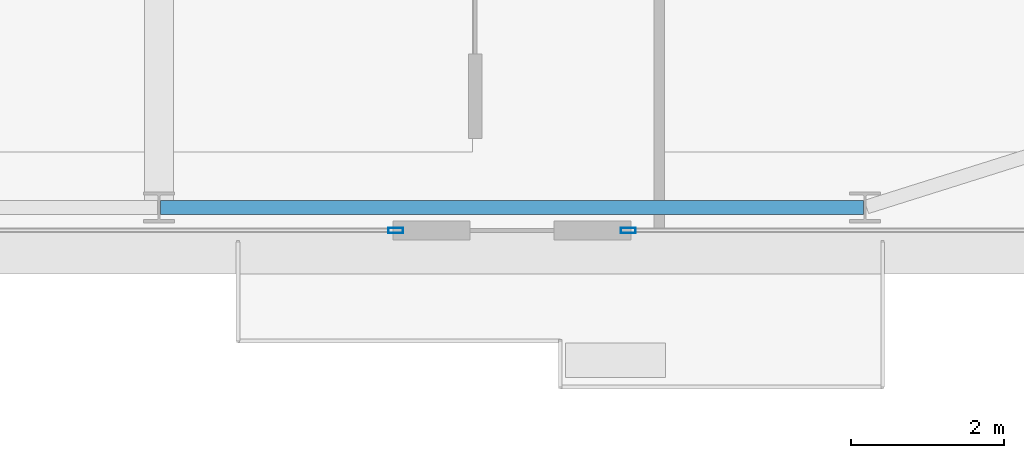
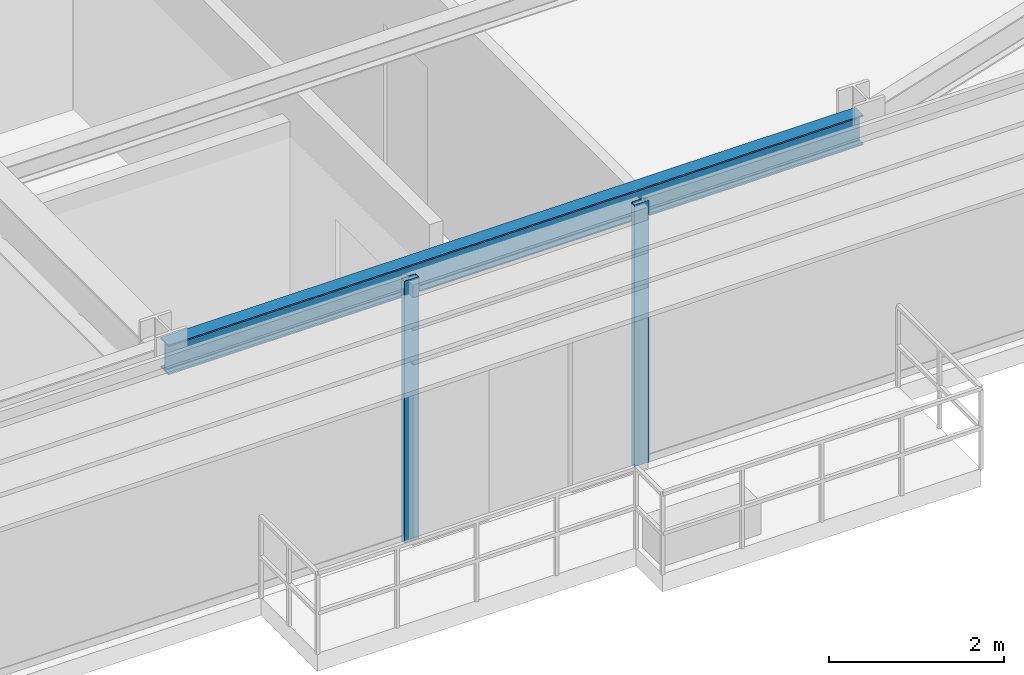
# One storey, part 12 of 34: 2 members, 1 beam, 2 elements without a shape of their own.
"""IFC4 building model written with IfcOpenShell, lengths in metres."""

from ifc_helpers import new_model, si_unit, direction, frame, origin, origin_2d, place, context, subcontext, project, spatial, hollow_rectangle, i_section, extrude, source, transform, mapped, material, layer, layer_set, material_profile, profile_set, type_object, type_shapes, element, aggregate, save


model = new_model("IFC4")

# Units and contexts
model_context = context("Model", 3, precision=1e-05, world=origin(), true_north=direction((0.0, 1.0)))
body_context = subcontext(model_context, "Body", "Model", "MODEL_VIEW")
ifc_project = project(units=[si_unit("LENGTHUNIT", "METRE"), si_unit("AREAUNIT", "SQUARE_METRE"), si_unit("VOLUMEUNIT", "CUBIC_METRE"), si_unit("PLANEANGLEUNIT", "RADIAN"), si_unit("MASSUNIT", "GRAM", prefix="KILO")], contexts=[model_context])

# Site, building, storey
site_placement = place(None, origin())
site = spatial("IfcSite", under=ifc_project, at=site_placement, CompositionType="ELEMENT")
building_placement = place(site_placement, origin())
building = spatial("IfcBuilding", under=site, at=building_placement, Name="Varnel Quay Broadcast Tower", CompositionType="ELEMENT")
storey_placement = place(building_placement, frame((0.0, 0.0, 47.10009765625)))
storey = spatial("IfcBuildingStorey", under=building, at=storey_placement, Name="L10", CompositionType="ELEMENT", Elevation=47.10009765625)

# Beam
ifc_material_1 = material(Name="Structural Steel CSA G40.21 350W", Category="steel")
ifc_material_profile_1 = material_profile(ifc_material_1, i_section(OverallWidth=0.180908203125, OverallDepth=0.4169921875, WebThickness=0.010986328125, FlangeThickness=0.018310546875, FilletRadius=0.011962890625, at=origin_2d()), Name="W410X85")
ifc_profile_set_1 = profile_set([ifc_material_profile_1], Name="Structural Steel CSA G40.21 350W")
beam_type = type_object("IfcBeamType", Name="Beam_W410X85", PredefinedType="SPANDREL", material=ifc_profile_set_1)
shared_shape_1 = source(origin(), body_context, "Body", "SweptSolid", [
    extrude(i_section(OverallWidth=0.180908203125, OverallDepth=0.4169921875, WebThickness=0.010986328125, FlangeThickness=0.018310546875, FilletRadius=0.011962890625, at=origin_2d()), origin(), (0.0, 0.0, 1.0), 9.159912109375),
])
type_shapes(beam_type, [shared_shape_1])
beam_placement = place(storey_placement, frame((43.219970703125, 1.64990234375, 3.44140625), z_axis=(1.0, 0.0, 0.0), x_axis=(0.0, 1.0, 0.0)))
element("IfcBeam", 1, at=beam_placement, inside=storey, type_object=beam_type, Name="L10 South Spandrel TC-S4-TC-S5", PredefinedType="SPANDREL", context=body_context, shape_type="MappedRepresentation", body=[
    mapped(shared_shape_1, transform((0.0, 0.0, 0.0), x_axis=(1.0, 0.0, 0.0), y_axis=(0.0, 1.0, 0.0), z_axis=(0.0, 0.0, 1.0), scale=1.0)),
])

# Curtain wall, member
ifc_material_2 = material(Name="Anodised Bronze Aluminium 6063-T6", Category="aluminium")
ifc_layer = layer(ifc_material_2, 0.18994140625, Name="Anodised Bronze Aluminium 6063-T6")
ifc_layer_set = layer_set([ifc_layer], Name="Anodised Bronze Aluminium 6063-T6")
curtain_wall_type = type_object("IfcCurtainWallType", Name="CW_LowerTower", PredefinedType="NOTDEFINED", material=ifc_layer_set)
curtain_wall_1_placement = place(storey_placement, origin())
curtain_wall_1 = element("IfcCurtainWall", 2, at=curtain_wall_1_placement, inside=storey, type_object=curtain_wall_type, Name="L10 South Unitised Curtain Wall 2", PredefinedType="NOTDEFINED")
ifc_material_profile_2 = material_profile(ifc_material_2, hollow_rectangle(XDim=0.070068359375, YDim=0.18994140625, WallThickness=0.00390625, at=origin_2d()), Name="ALU70X190X4")
ifc_profile_set_2 = profile_set([ifc_material_profile_2], Name="Anodised Bronze Aluminium 6063-T6")
member_type = type_object("IfcMemberType", Name="Mull_CWS-02", PredefinedType="MULLION", material=ifc_profile_set_2)
shared_shape_2 = source(origin(), body_context, "Body", "SweptSolid", [
    extrude(hollow_rectangle(XDim=0.070068359375, YDim=0.18994140625, WallThickness=0.00390625, at=origin_2d()), origin(), (0.0, 0.0, 1.0), 3.64990234375),
])
type_shapes(member_type, [shared_shape_2])
member_1_placement = place(storey_placement, frame((46.284912109375, 1.35009765625, 0.0), z_axis=(0.0, 0.0, 1.0), x_axis=(0.0, 1.0, 0.0)))
member_1 = element("IfcMember", 3, at=member_1_placement, type_object=member_type, Name="CWS-02 mullion 3", PredefinedType="MULLION", context=body_context, shape_type="MappedRepresentation", body=[
    mapped(shared_shape_2, transform((0.0, 0.0, 0.0), x_axis=(1.0, 0.0, 0.0), y_axis=(0.0, 1.0, 0.0), z_axis=(0.0, 0.0, 1.0), scale=1.0)),
])
aggregate(curtain_wall_1, [member_1])

curtain_wall_2_placement = place(storey_placement, origin())
curtain_wall_2 = element("IfcCurtainWall", 4, at=curtain_wall_2_placement, inside=storey, type_object=curtain_wall_type, Name="L10 South Unitised Curtain Wall 3", PredefinedType="NOTDEFINED")
member_2_placement = place(storey_placement, frame((49.31494140625, 1.35009765625, 0.0), z_axis=(0.0, 0.0, 1.0), x_axis=(0.0, 1.0, 0.0)))
member_2 = element("IfcMember", 5, at=member_2_placement, type_object=member_type, Name="CWS-02 mullion 1", PredefinedType="MULLION", context=body_context, shape_type="MappedRepresentation", body=[
    mapped(shared_shape_2, transform((0.0, 0.0, 0.0), x_axis=(1.0, 0.0, 0.0), y_axis=(0.0, 1.0, 0.0), z_axis=(0.0, 0.0, 1.0), scale=1.0)),
])
aggregate(curtain_wall_2, [member_2])

save(model, "model.ifc")
